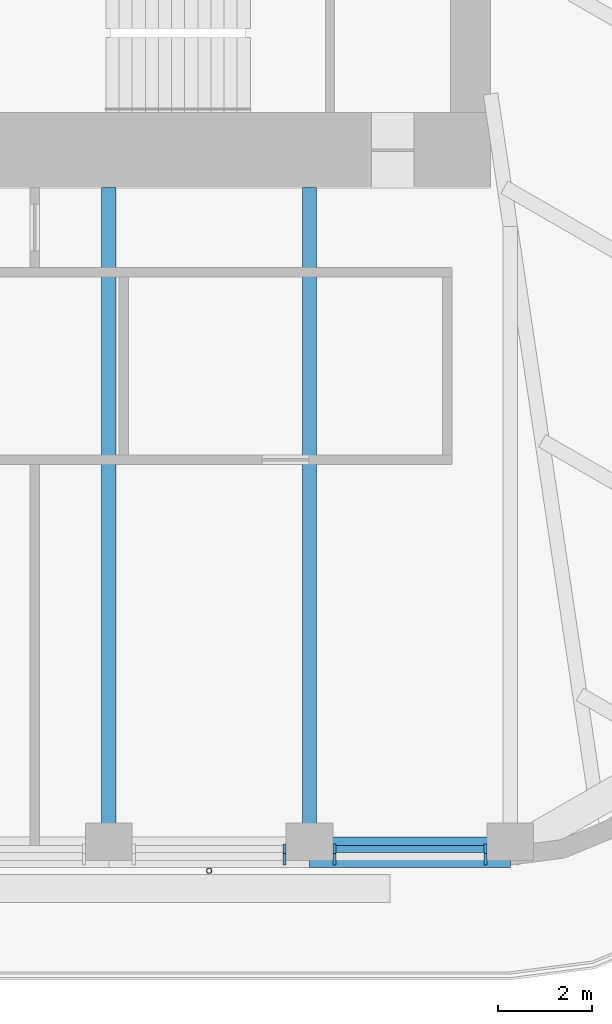
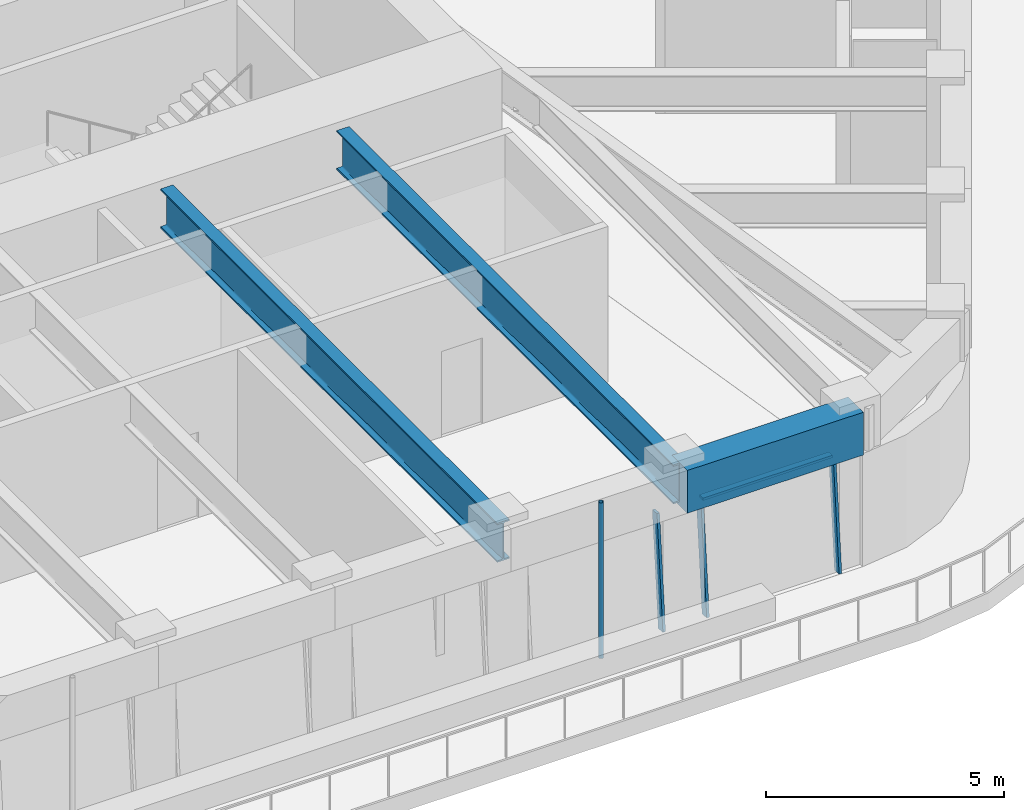
# One storey, part 4 of 19: 5 members, 3 beams, 2 elements without a shape of their own.
"""IFC4 building model written with IfcOpenShell, lengths in metres."""

import ifcopenshell
import ifcopenshell.guid

model = None  # the IFC model being written
_history = None  # IfcOwnerHistory: only IFC2X3 demands one
_inside = {}  # id of a spatial element -> (the spatial element, [elements in it])
_under = {}  # id of a project, library or spatial element -> (it, [spatial elements below it])
_declared = {}  # id of a project -> (the project, [libraries it declares])
_typed = {}  # id of a type object -> (the type object, [elements of that type])
_made_of = {}  # id of a material, layer set ... -> (it, [elements and type objects made of it])


def new_model(schema):
    """Start an empty IFC model of exactly this schema.

    Asked for "IFC4X3", IfcOpenShell would pick the latest addendum, in which some entities
    have other attributes; the version numbers below select the first issue.
    IFC2X3 requires an IfcOwnerHistory on every rooted entity: one is made here for all.
    """
    global model, _history
    if schema == "IFC4X3":
        model = ifcopenshell.file(schema_version=(4, 3, 0, 0))
    else:
        model = ifcopenshell.file(schema=schema)
    _inside.clear()
    _under.clear()
    _declared.clear()
    _typed.clear()
    _made_of.clear()
    _history = None
    if model.schema == "IFC2X3":
        org = make("IfcOrganization", Name="unknown")
        user = make(
            "IfcPersonAndOrganization",
            ThePerson=make("IfcPerson", FamilyName="unknown"),
            TheOrganization=org,
        )
        app = make(
            "IfcApplication",
            ApplicationDeveloper=org,
            Version="unknown",
            ApplicationFullName="unknown",
            ApplicationIdentifier="unknown",
        )
        _history = make(
            "IfcOwnerHistory",
            OwningUser=user,
            OwningApplication=app,
            ChangeAction="ADDED",
            CreationDate=0,
        )
    return model


def make(cls, **values):
    """One entity of the class cls with the attributes given. An attribute that is None is left unset."""
    return model.create_entity(
        cls, **{name: value for name, value in values.items() if value is not None}
    )


def rooted(cls, **values):
    """An entity with a GlobalId (a new one), such as an element, a storey or a relation."""
    return make(cls, GlobalId=ifcopenshell.guid.new(), OwnerHistory=_history, **values)


def si_unit(unit_type, name, prefix=None):
    """IfcSIUnit, for example si_unit("LENGTHUNIT", "METRE", prefix="MILLI")."""
    return make("IfcSIUnit", UnitType=unit_type, Prefix=prefix, Name=name)


def assignment(units):
    """IfcUnitAssignment: the units of a project."""
    return None if units is None else make("IfcUnitAssignment", Units=units)


def point(xyz):
    """IfcCartesianPoint."""
    return None if xyz is None else make("IfcCartesianPoint", Coordinates=xyz)


def direction(xyz):
    """IfcDirection."""
    return None if xyz is None else make("IfcDirection", DirectionRatios=xyz)


def frame(location, z_axis=None, x_axis=None):
    """IfcAxis2Placement3D, a coordinate frame: its origin and axes. An axis left out is left unset."""
    return make(
        "IfcAxis2Placement3D",
        Location=point(location),
        Axis=direction(z_axis),
        RefDirection=direction(x_axis),
    )


def frame_2d(location, x_axis=None):
    """IfcAxis2Placement2D, a coordinate frame in the plane: its origin and x axis."""
    return make(
        "IfcAxis2Placement2D", Location=point(location), RefDirection=direction(x_axis)
    )


def origin():
    """The frame at (0, 0, 0) with its axes left unset."""
    return frame((0.0, 0.0, 0.0))


def origin_2d():
    """The frame at (0, 0) in the plane with its x axis left unset."""
    return frame_2d((0.0, 0.0))


def place(relative_to, where):
    """IfcLocalPlacement: puts the frame where relative to a parent placement (None: the world)."""
    return make(
        "IfcLocalPlacement", PlacementRelTo=relative_to, RelativePlacement=where
    )


def context(
    kind, dimensions, precision=None, world=None, true_north=None, identifier=None
):
    """IfcGeometricRepresentationContext, for example the 3D "Model" context."""
    return make(
        "IfcGeometricRepresentationContext",
        ContextIdentifier=identifier,
        ContextType=kind,
        CoordinateSpaceDimension=dimensions,
        Precision=precision,
        WorldCoordinateSystem=world,
        TrueNorth=true_north,
    )


def subcontext(parent, identifier, kind, view, scale=None):
    """IfcGeometricRepresentationSubContext, for example "Body" below "Model"."""
    return make(
        "IfcGeometricRepresentationSubContext",
        ContextIdentifier=identifier,
        ContextType=kind,
        ParentContext=parent,
        TargetScale=scale,
        TargetView=view,
    )


def project(units=None, contexts=None):
    """IfcProject with its units and contexts."""
    return rooted(
        "IfcProject",
        Name="project",
        RepresentationContexts=contexts,
        UnitsInContext=assignment(units),
    )


def spatial(cls, under=None, at=None, **own):
    """A site, building, storey or space (cls), placed at a placement, below another one or the project."""
    s = rooted(cls, ObjectPlacement=at, **own)
    if under is not None:
        _under.setdefault(under.id(), (under, []))[1].append(s)
    return s


def profile(cls, at=None, kind="AREA", **sizes):
    """A parametric profile (cls). Its sizes go by their IFC names, for example OverallWidth=200.0."""
    return make(cls, ProfileType=kind, Position=at, **sizes)


def rectangle(**sizes):
    """IfcRectangleProfileDef."""
    return profile("IfcRectangleProfileDef", **sizes)


def hollow_circle(**sizes):
    """IfcCircleHollowProfileDef."""
    return profile("IfcCircleHollowProfileDef", **sizes)


def i_section(**sizes):
    """IfcIShapeProfileDef."""
    return profile("IfcIShapeProfileDef", **sizes)


def extrude(swept, where, along, depth):
    """IfcExtrudedAreaSolid: the profile swept, set in the frame where, extruded along a direction by depth."""
    return make(
        "IfcExtrudedAreaSolid",
        SweptArea=swept,
        Position=where,
        ExtrudedDirection=direction(along),
        Depth=depth,
    )


def shape(context_of_items, identifier, shape_type, items):
    """IfcShapeRepresentation: the items that make up one representation, for example the "Body"."""
    return make(
        "IfcShapeRepresentation",
        ContextOfItems=context_of_items,
        RepresentationIdentifier=identifier,
        RepresentationType=shape_type,
        Items=items,
    )


def material(Name=None, Category=None):
    """IfcMaterial."""
    return make("IfcMaterial", Name=Name, Category=Category)


def material_profile(
    of_material, cross_section, Name=None, Category=None, Priority=None
):
    """IfcMaterialProfile: a cross section and its material."""
    return make(
        "IfcMaterialProfile",
        Name=Name,
        Material=of_material,
        Profile=cross_section,
        Priority=Priority,
        Category=Category,
    )


def profile_set(profiles, Name=None, composite=None):
    """IfcMaterialProfileSet."""
    return make(
        "IfcMaterialProfileSet",
        Name=Name,
        MaterialProfiles=profiles,
        CompositeProfile=composite,
    )


def made_of(thing, what):
    """Note that an element or type object is made of a material, layer set ...; save() writes the relation."""
    if what is not None:
        _made_of.setdefault(what.id(), (what, []))[1].append(thing)
    return thing


def type_object(cls, material=None, **own):
    """A type object (cls), such as IfcWallType, which elements share."""
    return made_of(rooted(cls, **own), material)


def element(
    cls,
    number,
    at=None,
    inside=None,
    cuts=None,
    type_object=None,
    material=None,
    context=None,
    identifier="Body",
    shape_type=None,
    held_by="IfcProductDefinitionShape",
    body=None,
    shapes=None,
    **own,
):
    """One element of the class cls, such as IfcWall. Its Tag is "e" and its number.

    at: its placement. inside: the storey or other place that contains it. cuts: it is an
    opening in that element (IfcRelVoidsElement). A single representation is given by context,
    identifier, shape_type and body (its items); several are given by shapes. held_by: the class
    of the entity that holds the representations. save() writes the other relations.
    """
    e = rooted(cls, Tag="e%d" % number, ObjectPlacement=at, **own)
    if body is not None:
        shapes = [shape(context, identifier, shape_type, body)]
    if shapes is not None:
        e.Representation = make(held_by, Representations=shapes)
    if inside is not None:
        _inside.setdefault(inside.id(), (inside, []))[1].append(e)
    if cuts is not None:
        rooted(
            "IfcRelVoidsElement", RelatingBuildingElement=cuts, RelatedOpeningElement=e
        )
    if type_object is not None:
        _typed.setdefault(type_object.id(), (type_object, []))[1].append(e)
    return made_of(e, material)


def aggregate(whole, parts):
    """IfcRelAggregates: a whole, such as a stair, and the parts it consists of."""
    return rooted("IfcRelAggregates", RelatingObject=whole, RelatedObjects=parts)


def save(model, path):
    """Write the relations noted so far, then the file.

    IfcRelAggregates (storeys below a building ...), IfcRelContainedInSpatialStructure (elements
    in a storey), IfcRelDefinesByType, IfcRelAssociatesMaterial and IfcRelDeclares: one each for
    every whole, place, type object, material and project.
    """
    for whole, parts in _under.values():
        aggregate(whole, parts)
    for where, things in _inside.values():
        rooted(
            "IfcRelContainedInSpatialStructure",
            RelatedElements=things,
            RelatingStructure=where,
        )
    for kind, things in _typed.values():
        rooted("IfcRelDefinesByType", RelatedObjects=things, RelatingType=kind)
    for what, things in _made_of.values():
        rooted("IfcRelAssociatesMaterial", RelatedObjects=things, RelatingMaterial=what)
    for by, libraries in _declared.values():
        rooted("IfcRelDeclares", RelatingContext=by, RelatedDefinitions=libraries)
    model.write(path)


model = new_model("IFC4")

# Units and contexts
model_context = context("Model", 3, precision=1e-05, world=origin(), true_north=direction((0.0, 1.0)))
body_context = subcontext(model_context, "Body", "Model", "MODEL_VIEW")
ifc_project = project(units=[si_unit("LENGTHUNIT", "METRE"), si_unit("AREAUNIT", "SQUARE_METRE"), si_unit("VOLUMEUNIT", "CUBIC_METRE"), si_unit("PLANEANGLEUNIT", "RADIAN"), si_unit("MASSUNIT", "GRAM", prefix="KILO")], contexts=[model_context])

# Site, building, storey
site_placement = place(None, origin())
site = spatial("IfcSite", under=ifc_project, at=site_placement, CompositionType="ELEMENT")
building_placement = place(site_placement, origin())
building = spatial("IfcBuilding", under=site, at=building_placement, Name="Tarfa Lantern Tower", CompositionType="ELEMENT")
storey_placement = place(building_placement, frame((0.0, 0.0, 332.5)))
storey = spatial("IfcBuildingStorey", under=building, at=storey_placement, Name="L75", CompositionType="ELEMENT", Elevation=332.5)

# Curtain wall, member
ifc_material_1 = material(Name="Aluminium framed curtain wall", Category="aluminium")
curtain_wall_type = type_object("IfcCurtainWallType", Name="CW4 CANTED GLAZING EXECUTIVE ZONE 2900", PredefinedType="USERDEFINED", material=ifc_material_1)
curtain_wall_1_placement = place(storey_placement, origin())
curtain_wall_1 = element("IfcCurtainWall", 1, at=curtain_wall_1_placement, inside=storey, type_object=curtain_wall_type, Name="CW4 S L75", ObjectType="CURTAIN WALL", PredefinedType="USERDEFINED")
ifc_material_2 = material(Name="Aluminium mullion", Category="aluminium")
ifc_material_profile_1 = material_profile(ifc_material_2, rectangle(XDim=0.06494140625, YDim=0.199951171875, at=origin_2d()), Name="AL MULLION 65x200")
ifc_profile_set_1 = profile_set([ifc_material_profile_1], Name="Aluminium mullion")
member_type_1 = type_object("IfcMemberType", Name="CWM1 MULLION 65x200", PredefinedType="MULLION", material=ifc_profile_set_1)
member_1_placement = place(storey_placement, frame((8.031494140625, -26.64990234375, 0.0), z_axis=(0.0, 0.085891213166, 0.99630452147), x_axis=(-1.0, 0.0, 0.0)))
member_1 = element("IfcMember", 2, at=member_1_placement, type_object=member_type_1, Name="CW4 mullion 2", PredefinedType="MULLION", context=body_context, shape_type="SweptSolid", body=[
    extrude(rectangle(XDim=0.06494140625, YDim=0.199951171875, at=origin_2d()), origin(), (0.0, 0.0, 1.0), 2.91064453125),
])
aggregate(curtain_wall_1, [member_1])

# Curtain wall, members
curtain_wall_2_placement = place(storey_placement, origin())
curtain_wall_2 = element("IfcCurtainWall", 3, at=curtain_wall_2_placement, inside=storey, type_object=curtain_wall_type, Name="CW4 S L75", ObjectType="CURTAIN WALL", PredefinedType="USERDEFINED")
member_2_placement = place(storey_placement, frame((9.096435546875, -26.64990234375, 0.0), z_axis=(0.0, 0.085891213166, 0.99630452147), x_axis=(-1.0, 0.0, 0.0)))
member_2 = element("IfcMember", 4, at=member_2_placement, type_object=member_type_1, Name="CW4 mullion 1", PredefinedType="MULLION", context=body_context, shape_type="SweptSolid", body=[
    extrude(rectangle(XDim=0.06494140625, YDim=0.199951171875, at=origin_2d()), origin(), (0.0, 0.0, 1.0), 2.91064453125),
])
member_3_placement = place(storey_placement, frame((12.3134765625, -26.64990234375, 0.0), z_axis=(0.0, 0.085891213166, 0.99630452147), x_axis=(-1.0, 0.0, 0.0)))
member_3 = element("IfcMember", 5, at=member_3_placement, type_object=member_type_1, Name="CW4 mullion 2", PredefinedType="MULLION", context=body_context, shape_type="SweptSolid", body=[
    extrude(rectangle(XDim=0.06494140625, YDim=0.199951171875, at=origin_2d()), origin(), (0.0, 0.0, 1.0), 2.91064453125),
])
ifc_material_3 = material(Name="Aluminium transom", Category="aluminium")
ifc_material_profile_2 = material_profile(ifc_material_3, rectangle(XDim=0.14990234375, YDim=0.06494140625, at=origin_2d()), Name="AL TRANSOM 150x65")
ifc_profile_set_2 = profile_set([ifc_material_profile_2], Name="Aluminium transom")
member_type_2 = type_object("IfcMemberType", Name="CWT1 TRANSOM 150x65", PredefinedType="USERDEFINED", material=ifc_profile_set_2)
member_4_placement = place(storey_placement, frame((9.129150390625, -26.40283203125, 2.867431640625), z_axis=(1.0, 0.0, 0.0), x_axis=(0.0, 1.0, 0.0)))
member_4 = element("IfcMember", 6, at=member_4_placement, type_object=member_type_2, Name="CW4 transom 1.2", ObjectType="TRANSOM", PredefinedType="USERDEFINED", context=body_context, shape_type="SweptSolid", body=[
    extrude(rectangle(XDim=0.14990234375, YDim=0.06494140625, at=origin_2d()), origin(), (0.0, 0.0, 1.0), 3.15185546875),
])
aggregate(curtain_wall_2, [member_2, member_3, member_4])

# Beam
ifc_material_4 = material(Name="Concrete C80/95", Category="concrete")
ifc_material_profile_3 = material_profile(ifc_material_4, rectangle(XDim=0.64990234375, YDim=1.10009765625, at=origin_2d()), Name="RC 650x1100")
ifc_profile_set_3 = profile_set([ifc_material_profile_3], Name="Concrete C80/95")
beam_type_1 = type_object("IfcBeamType", Name="EB4 RC 650x1100", PredefinedType="SPANDREL", material=ifc_profile_set_3)
beam_placement = place(storey_placement, frame((8.56396484375, -26.469970703125, 3.449951171875), z_axis=(1.0, 0.0, 0.0), x_axis=(0.0, 1.0, 0.0)))
element("IfcBeam", 7, at=beam_placement, inside=storey, type_object=beam_type_1, Name="Edge beam S5", PredefinedType="SPANDREL", context=body_context, shape_type="SweptSolid", body=[
    extrude(rectangle(XDim=0.64990234375, YDim=1.10009765625, at=origin_2d()), origin(), (0.0, 0.0, 1.0), 4.281982421875),
])

# Member
ifc_material_5 = material(Name="Steel S355", Category="steel")
ifc_material_profile_4 = material_profile(ifc_material_5, hollow_circle(Radius=0.05712890625, WallThickness=0.00634765625, at=origin_2d()), Name="CHS114.3x6.3")
ifc_profile_set_4 = profile_set([ifc_material_profile_4], Name="Steel S355")
member_type_3 = type_object("IfcMemberType", Name="TR1 GREEN WALL TRELLIS CHS114.3x6.3", PredefinedType="USERDEFINED", material=ifc_profile_set_4)
member_5_placement = place(storey_placement, frame((6.423095703125, -26.8701171875, 0.0), z_axis=(0.0, 0.0, 1.0), x_axis=(1.0, 0.0, 0.0)))
element("IfcMember", 8, at=member_5_placement, inside=storey, type_object=member_type_3, Name="Trellis post S 2", ObjectType="TRELLIS", PredefinedType="USERDEFINED", context=body_context, shape_type="SweptSolid", body=[
    extrude(hollow_circle(Radius=0.05712890625, WallThickness=0.00634765625, at=origin_2d()), origin(), (0.0, 0.0, 1.0), 4.0),
])

# Beams
ifc_material_6 = material(Name="Steel S460M", Category="steel")
ifc_material_profile_5 = material_profile(ifc_material_6, i_section(OverallWidth=0.302001953125, OverallDepth=1.008056640625, WebThickness=0.02099609375, FlangeThickness=0.0400390625, FilletRadius=0.030029296875, at=origin_2d()), Name="UB1016x305x349")
ifc_profile_set_5 = profile_set([ifc_material_profile_5], Name="Steel S460M")
beam_type_2 = type_object("IfcBeamType", Name="UB1016x305x349", PredefinedType="BEAM", material=ifc_profile_set_5)
for number, where, z_axis, x_axis, name in (
    (9, (4.281982421875, -26.469970703125, 3.495849609375), (0.0, 1.0, 0.0), (-1.0, 0.0, 0.0), "Floor beam S4"),
    (10, (8.56396484375, -26.469970703125, 3.495849609375), (0.0, 1.0, 0.0), (-1.0, 0.0, 0.0), "Floor beam S5"),
):
    element("IfcBeam", number, at=place(storey_placement, frame(where, z_axis=z_axis, x_axis=x_axis)), inside=storey, type_object=beam_type_2, Name=name, PredefinedType="BEAM", context=body_context, shape_type="SweptSolid", body=[
        extrude(i_section(OverallWidth=0.302001953125, OverallDepth=1.008056640625, WebThickness=0.02099609375, FlangeThickness=0.0400390625, FilletRadius=0.030029296875, at=origin_2d()), origin(), (0.0, 0.0, 1.0), 14.169921875),
    ])

save(model, "model.ifc")
